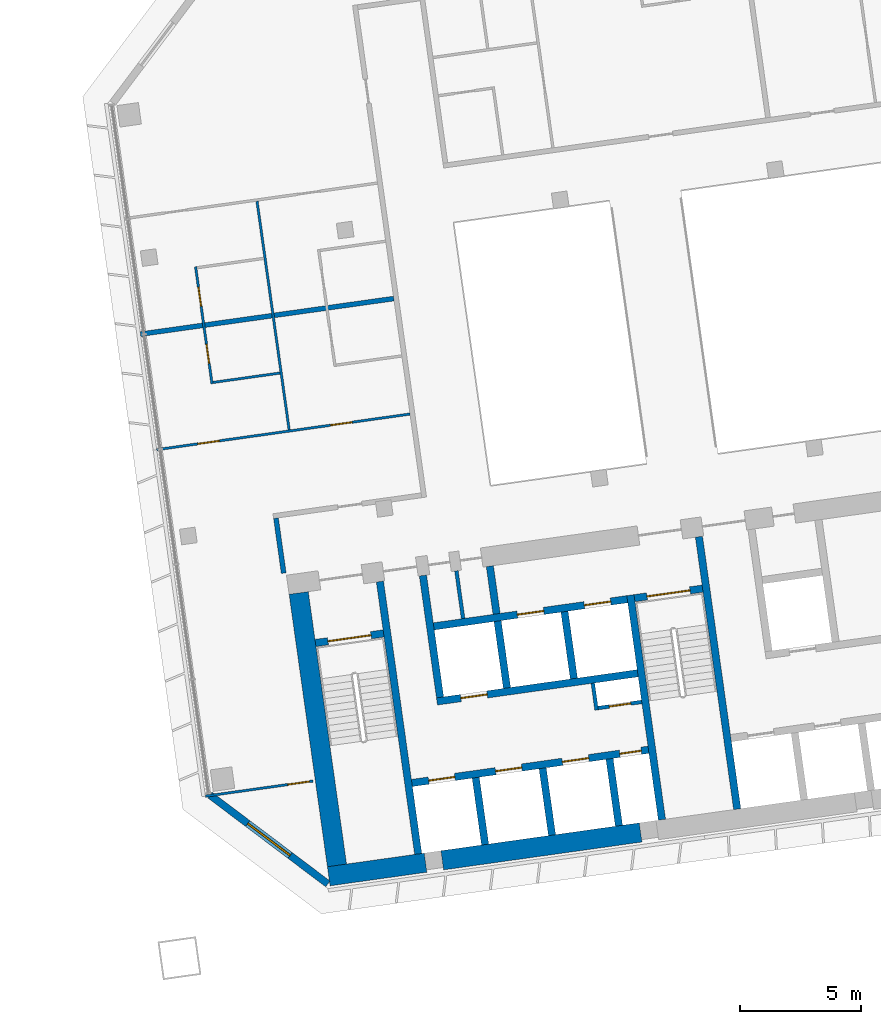
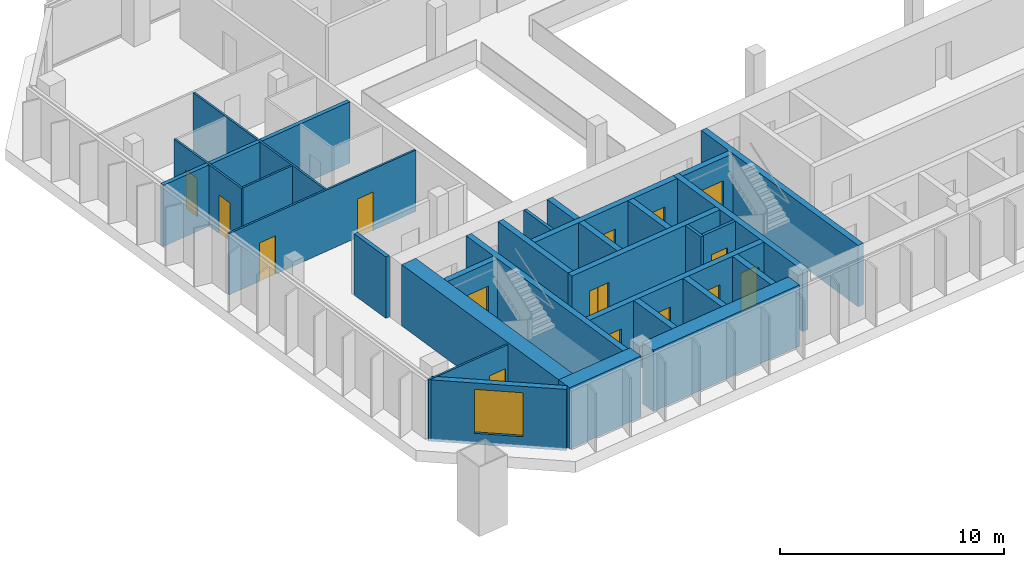
# One storey, part 19 of 27: 29 walls, 15 doors, 1 window, 16 openings.
"""IFC4 building model written with IfcOpenShell, lengths in metres."""

from ifc_helpers import new_model, si_unit, direction, frame, frame_2d, origin, place, context, subcontext, project, spatial, rectangle, extrude, material, layer, layer_set, type_object, element, fill, save


model = new_model("IFC4")

# Units and contexts
model_context = context("Model", 3, precision=1e-05, world=origin(), true_north=direction((0.0, 1.0)))
body_context = subcontext(model_context, "Body", "Model", "MODEL_VIEW")
ifc_project = project(units=[si_unit("LENGTHUNIT", "METRE"), si_unit("AREAUNIT", "SQUARE_METRE"), si_unit("VOLUMEUNIT", "CUBIC_METRE"), si_unit("PLANEANGLEUNIT", "RADIAN"), si_unit("MASSUNIT", "GRAM", prefix="KILO")], contexts=[model_context])

# Site, building, storey
site_placement = place(None, origin())
site = spatial("IfcSite", under=ifc_project, at=site_placement, CompositionType="ELEMENT")
building_placement = place(site_placement, origin())
building = spatial("IfcBuilding", under=site, at=building_placement, Name="Mirante Cascada Hotel Towers", CompositionType="ELEMENT")
storey_placement = place(building_placement, frame((0.0, 0.0, 117.7)))
storey = spatial("IfcBuildingStorey", under=building, at=storey_placement, Name="L26", CompositionType="ELEMENT", Elevation=117.7)

# Walls
ifc_material_1 = material(Name="Fire-rated plasterboard on metal studs")
ifc_layer_1 = layer(ifc_material_1, 0.2)
ifc_layer_set_1 = layer_set([ifc_layer_1], Name="Compartment wall 200 EI 120")
wall_type_1 = type_object("IfcWallType", Name="Compartment wall 200 EI 120", PredefinedType="PARTITIONING", material=ifc_layer_set_1)
wall_1_placement = place(storey_placement, frame((39.8242, 4.2615, 0.0), z_axis=(0.0, 0.0, 1.0), x_axis=(-0.9902686, -0.1391691, 0.0)))
element("IfcWall", 1, at=wall_1_placement, inside=storey, type_object=wall_type_1, Name="Wall 2-L26-08", PredefinedType="PARTITIONING", context=body_context, shape_type="SweptSolid", body=[
    extrude(rectangle(XDim=10.6001, YDim=0.2, at=frame_2d((5.3, 0.0))), origin(), (0.0, 0.0, 1.0), 3.35),
])
wall_2_placement = place(storey_placement, frame((35.2634, -7.1173, 0.0), z_axis=(0.0, 0.0, 1.0), x_axis=(-0.1391749, 0.9902678, 0.0)))
element("IfcWall", 2, at=wall_2_placement, inside=storey, type_object=wall_type_1, Name="Wall 2-L26-33", PredefinedType="PARTITIONING", context=body_context, shape_type="SweptSolid", body=[
    extrude(rectangle(XDim=2.3, YDim=0.2, at=frame_2d((1.15, 0.0))), origin(), (0.0, 0.0, 1.0), 3.35),
])
ifc_material_2 = material(Name="Masonry block", Category="masonry")
ifc_layer_2 = layer(ifc_material_2, 0.15)
ifc_layer_set_2 = layer_set([ifc_layer_2], Name="Core room partition 150 block EI 30")
wall_type_2 = type_object("IfcWallType", Name="Core room partition 150 block EI 30", PredefinedType="PARTITIONING", material=ifc_layer_set_2)
wall_3_placement = place(storey_placement, frame((48.2295, -12.793, 0.0), z_axis=(0.0, 0.0, 1.0), x_axis=(-0.1391935, 0.9902652, 0.0)))
element("IfcWall", 3, at=wall_3_placement, inside=storey, type_object=wall_type_2, Name="Core wall partition T2 L26 2", PredefinedType="PARTITIONING", context=body_context, shape_type="SweptSolid", body=[
    extrude(rectangle(XDim=1.1251, YDim=0.15, at=frame_2d((0.5626, 0.0))), origin(), (0.0, 0.0, 1.0), 3.35),
])

# Wall, opening, door
wall_4_placement = place(storey_placement, frame((48.2933, -12.7083, 0.0), z_axis=(0.0, 0.0, 1.0), x_axis=(0.990268, 0.1391734, 0.0)))
wall_4 = element("IfcWall", 4, at=wall_4_placement, inside=storey, type_object=wall_type_2, Name="Core wall partition T2 L26 3", PredefinedType="PARTITIONING", context=body_context, shape_type="SweptSolid", body=[
    extrude(rectangle(XDim=1.8251, YDim=0.15, at=frame_2d((0.9126, 0.0))), origin(), (0.0, 0.0, 1.0), 3.35),
])
opening_1_placement = place(wall_4_placement, frame((0.4625, 0.0, 0.0)))
opening_1 = element("IfcOpeningElement", 5, at=opening_1_placement, cuts=wall_4, Name="Opening D2-26-C23", PredefinedType="OPENING", context=body_context, shape_type="SweptSolid", body=[
    extrude(rectangle(XDim=0.9, YDim=2.1, at=frame_2d((0.45, 1.05))), frame((0.0, 0.075, 0.0), z_axis=(0.0, -1.0, 0.0), x_axis=(1.0, 0.0, 0.0)), (0.0, 0.0, 1.0), 0.15),
])
ifc_material_3 = material(Name="Hollow metal fire door leaf")
door_type_1 = type_object("IfcDoorType", Name="Fire door 900x2100 FD60", OperationType="NOTDEFINED", PredefinedType="DOOR", material=ifc_material_3)
door_1_placement = place(opening_1_placement, frame((0.9, 0.0, 0.0), z_axis=(0.0, 0.0, 1.0), x_axis=(-1.0, 0.0, 0.0)))
door_1 = element("IfcDoor", 6, at=door_1_placement, inside=storey, type_object=door_type_1, Name="Riser door T2 L26 23", OperationType="SINGLE_SWING_RIGHT", OverallHeight=2.1, OverallWidth=0.9, PredefinedType="DOOR", context=body_context, shape_type="SweptSolid", body=[
    extrude(rectangle(XDim=0.9, YDim=2.1, at=frame_2d((0.45, 1.05))), frame((0.0, 0.025, 0.0), z_axis=(0.0, -1.0, 0.0), x_axis=(1.0, 0.0, 0.0)), (0.0, 0.0, 1.0), 0.05),
])
fill(opening_1, door_1)

# Walls
wall_5_placement = place(storey_placement, frame((42.6979, -9.0009, 0.0), z_axis=(0.0, 0.0, 1.0), x_axis=(-0.1391529, 0.9902709, 0.0)))
element("IfcWall", 7, at=wall_5_placement, inside=storey, type_object=wall_type_2, Name="Core wall partition T2 L26 4", PredefinedType="PARTITIONING", context=body_context, shape_type="SweptSolid", body=[
    extrude(rectangle(XDim=2.0, YDim=0.15, at=frame_2d((1.0, 0.0))), origin(), (0.0, 0.0, 1.0), 3.35),
])
ifc_material_4 = material(Name="Masonry block", Category="masonry")
ifc_layer_3 = layer(ifc_material_4, 0.3)
ifc_layer_set_3 = layer_set([ifc_layer_3], Name="Core wall 300 block EI 120")
wall_type_3 = type_object("IfcWallType", Name="Core wall 300 block EI 120", PredefinedType="PARTITIONING", material=ifc_layer_set_3)
wall_6_placement = place(storey_placement, frame((44.0843, -8.8061, 0.0), z_axis=(0.0, 0.0, 1.0), x_axis=(-0.1391951, 0.990265, 0.0)))
element("IfcWall", 8, at=wall_6_placement, inside=storey, type_object=wall_type_3, Name="Core wall partition T2 L26 1", PredefinedType="PARTITIONING", context=body_context, shape_type="SweptSolid", body=[
    extrude(rectangle(XDim=2.0001, YDim=0.3, at=frame_2d((1.0001, 0.0))), origin(), (0.0, 0.0, 1.0), 3.35),
])

# Wall, opening, door
ifc_material_5 = material(Name="Plasterboard on metal studs")
ifc_layer_4 = layer(ifc_material_5, 0.1)
ifc_layer_set_4 = layer_set([ifc_layer_4], Name="Partition 100")
wall_type_4 = type_object("IfcWallType", Name="Partition 100", PredefinedType="PARTITIONING", material=ifc_layer_set_4)
wall_7_placement = place(storey_placement, frame((32.018, -16.3589, 0.0), z_axis=(0.0, 0.0, 1.0), x_axis=(0.9902674, 0.1391779, 0.0)))
wall_7 = element("IfcWall", 9, at=wall_7_placement, inside=storey, type_object=wall_type_4, Name="Wall 2-L26-01", PredefinedType="PARTITIONING", context=body_context, shape_type="SweptSolid", body=[
    extrude(rectangle(XDim=4.5, YDim=0.1, at=frame_2d((2.25, 0.0))), origin(), (0.0, 0.0, 1.0), 3.35),
])
opening_2_placement = place(wall_7_placement, frame((3.45, 0.0, 0.0)))
opening_2 = element("IfcOpeningElement", 10, at=opening_2_placement, cuts=wall_7, Name="Opening D2-L26-01", PredefinedType="OPENING", context=body_context, shape_type="SweptSolid", body=[
    extrude(rectangle(XDim=0.9, YDim=2.1, at=frame_2d((0.45, 1.05))), frame((0.0, 0.05, 0.0), z_axis=(0.0, -1.0, 0.0), x_axis=(1.0, 0.0, 0.0)), (0.0, 0.0, 1.0), 0.1),
])
ifc_material_6 = material(Name="Timber door leaf", Category="wood")
door_type_2 = type_object("IfcDoorType", Name="Room door DG3 900x2100", OperationType="SINGLE_SWING_LEFT", PredefinedType="DOOR", material=ifc_material_6)
door_2_placement = place(opening_2_placement, origin())
door_2 = element("IfcDoor", 11, at=door_2_placement, inside=storey, type_object=door_type_2, Name="Door D2-L26-01", OperationType="SINGLE_SWING_LEFT", OverallHeight=2.1, OverallWidth=0.9, PredefinedType="DOOR", context=body_context, shape_type="SweptSolid", body=[
    extrude(rectangle(XDim=0.9, YDim=2.1, at=frame_2d((0.45, 1.05))), frame((0.0, 0.025, 0.0), z_axis=(0.0, -1.0, 0.0), x_axis=(1.0, 0.0, 0.0)), (0.0, 0.0, 1.0), 0.05),
])
fill(opening_2, door_2)

# Wall, openings, doors
wall_8_placement = place(storey_placement, frame((30.0, -2.0, 0.0), z_axis=(0.0, 0.0, 1.0), x_axis=(0.9902684, 0.1391704, 0.0)))
wall_8 = element("IfcWall", 12, at=wall_8_placement, inside=storey, type_object=wall_type_4, Name="Wall 2-L26-03", PredefinedType="PARTITIONING", context=body_context, shape_type="SweptSolid", body=[
    extrude(rectangle(XDim=10.6, YDim=0.1, at=frame_2d((5.3, 0.0))), origin(), (0.0, 0.0, 1.0), 3.35),
])
opening_3_placement = place(wall_8_placement, frame((1.725, 0.0, 0.0)))
opening_3 = element("IfcOpeningElement", 13, at=opening_3_placement, cuts=wall_8, Name="Opening D2-L26-03", PredefinedType="OPENING", context=body_context, shape_type="SweptSolid", body=[
    extrude(rectangle(XDim=0.9, YDim=2.1, at=frame_2d((0.45, 1.05))), frame((0.0, 0.05, 0.0), z_axis=(0.0, -1.0, 0.0), x_axis=(1.0, 0.0, 0.0)), (0.0, 0.0, 1.0), 0.1),
])
opening_4_placement = place(wall_8_placement, frame((7.275, 0.0, 0.0)))
opening_4 = element("IfcOpeningElement", 14, at=opening_4_placement, cuts=wall_8, Name="Opening D2-L26-04", PredefinedType="OPENING", context=body_context, shape_type="SweptSolid", body=[
    extrude(rectangle(XDim=0.9, YDim=2.1, at=frame_2d((0.45, 1.05))), frame((0.0, 0.05, 0.0), z_axis=(0.0, -1.0, 0.0), x_axis=(1.0, 0.0, 0.0)), (0.0, 0.0, 1.0), 0.1),
])
door_3_placement = place(opening_3_placement, frame((0.9, 0.0, 0.0), z_axis=(0.0, 0.0, 1.0), x_axis=(-1.0, 0.0, 0.0)))
door_3 = element("IfcDoor", 15, at=door_3_placement, inside=storey, type_object=door_type_2, Name="Door D2-L26-03", OperationType="SINGLE_SWING_RIGHT", OverallHeight=2.1, OverallWidth=0.9, PredefinedType="DOOR", context=body_context, shape_type="SweptSolid", body=[
    extrude(rectangle(XDim=0.9, YDim=2.1, at=frame_2d((0.45, 1.05))), frame((0.0, 0.025, 0.0), z_axis=(0.0, -1.0, 0.0), x_axis=(1.0, 0.0, 0.0)), (0.0, 0.0, 1.0), 0.05),
])
fill(opening_3, door_3)
door_4_placement = place(opening_4_placement, frame((0.9, 0.0, 0.0), z_axis=(0.0, 0.0, 1.0), x_axis=(-1.0, 0.0, 0.0)))
door_4 = element("IfcDoor", 16, at=door_4_placement, inside=storey, type_object=door_type_2, Name="Door D2-L26-04", OperationType="SINGLE_SWING_RIGHT", OverallHeight=2.1, OverallWidth=0.9, PredefinedType="DOOR", context=body_context, shape_type="SweptSolid", body=[
    extrude(rectangle(XDim=0.9, YDim=2.1, at=frame_2d((0.45, 1.05))), frame((0.0, 0.025, 0.0), z_axis=(0.0, -1.0, 0.0), x_axis=(1.0, 0.0, 0.0)), (0.0, 0.0, 1.0), 0.05),
])
fill(opening_4, door_4)

# Wall
wall_9_placement = place(storey_placement, frame((35.1078, 1.1751, 0.0), z_axis=(0.0, 0.0, 1.0), x_axis=(-0.990267, -0.139181, 0.0)))
element("IfcWall", 17, at=wall_9_placement, inside=storey, type_object=wall_type_4, Name="Wall 2-L26-06", PredefinedType="PARTITIONING", context=body_context, shape_type="SweptSolid", body=[
    extrude(rectangle(XDim=2.8, YDim=0.1, at=frame_2d((1.4, 0.0))), origin(), (0.0, 0.0, 1.0), 3.35),
])

# Wall, openings, doors
wall_10_placement = place(storey_placement, frame((31.6106, 5.5812, 0.0), z_axis=(0.0, 0.0, 1.0), x_axis=(0.1391638, -0.9902694, 0.0)))
wall_10 = element("IfcWall", 18, at=wall_10_placement, inside=storey, type_object=wall_type_4, Name="Wall 2-L26-32", PredefinedType="PARTITIONING", context=body_context, shape_type="SweptSolid", body=[
    extrude(rectangle(XDim=4.9, YDim=0.1, at=frame_2d((2.45, 0.0))), origin(), (0.0, 0.0, 1.0), 3.35),
])
opening_5_placement = place(wall_10_placement, frame((3.25, 0.0, 0.0)))
opening_5 = element("IfcOpeningElement", 19, at=opening_5_placement, cuts=wall_10, Name="Opening D2-L26-23", PredefinedType="OPENING", context=body_context, shape_type="SweptSolid", body=[
    extrude(rectangle(XDim=0.8, YDim=2.1, at=frame_2d((0.4, 1.05))), frame((0.0, 0.05, 0.0), z_axis=(0.0, -1.0, 0.0), x_axis=(1.0, 0.0, 0.0)), (0.0, 0.0, 1.0), 0.1),
])
opening_6_placement = place(wall_10_placement, frame((0.85, 0.0, 0.0)))
opening_6 = element("IfcOpeningElement", 20, at=opening_6_placement, cuts=wall_10, Name="Opening D2-L26-24", PredefinedType="OPENING", context=body_context, shape_type="SweptSolid", body=[
    extrude(rectangle(XDim=0.8, YDim=2.1, at=frame_2d((0.4, 1.05))), frame((0.0, 0.05, 0.0), z_axis=(0.0, -1.0, 0.0), x_axis=(1.0, 0.0, 0.0)), (0.0, 0.0, 1.0), 0.1),
])
ifc_material_7 = material(Name="Timber door leaf", Category="wood")
door_type_3 = type_object("IfcDoorType", Name="Bathroom door DG4 800x2100", OperationType="SINGLE_SWING_LEFT", PredefinedType="DOOR", material=ifc_material_7)
door_5_placement = place(opening_5_placement, origin())
door_5 = element("IfcDoor", 21, at=door_5_placement, inside=storey, type_object=door_type_3, Name="Door D2-L26-23", OperationType="SINGLE_SWING_LEFT", OverallHeight=2.1, OverallWidth=0.8, PredefinedType="DOOR", context=body_context, shape_type="SweptSolid", body=[
    extrude(rectangle(XDim=0.8, YDim=2.1, at=frame_2d((0.4, 1.05))), frame((0.0, 0.025, 0.0), z_axis=(0.0, -1.0, 0.0), x_axis=(1.0, 0.0, 0.0)), (0.0, 0.0, 1.0), 0.05),
])
fill(opening_5, door_5)
door_6_placement = place(opening_6_placement, origin())
door_6 = element("IfcDoor", 22, at=door_6_placement, inside=storey, type_object=door_type_3, Name="Door D2-L26-24", OperationType="SINGLE_SWING_LEFT", OverallHeight=2.1, OverallWidth=0.8, PredefinedType="DOOR", context=body_context, shape_type="SweptSolid", body=[
    extrude(rectangle(XDim=0.8, YDim=2.1, at=frame_2d((0.4, 1.05))), frame((0.0, 0.025, 0.0), z_axis=(0.0, -1.0, 0.0), x_axis=(1.0, 0.0, 0.0)), (0.0, 0.0, 1.0), 0.05),
])
fill(opening_6, door_6)

# Wall
wall_11_placement = place(storey_placement, frame((34.1576, 8.2955, 0.0), z_axis=(0.0, 0.0, 1.0), x_axis=(0.1391703, -0.9902685, 0.0)))
element("IfcWall", 23, at=wall_11_placement, inside=storey, type_object=wall_type_4, Name="Wall 2-L26-34", PredefinedType="PARTITIONING", context=body_context, shape_type="SweptSolid", body=[
    extrude(rectangle(XDim=9.5667, YDim=0.1, at=frame_2d((4.7834, 0.0))), origin(), (0.0, 0.0, 1.0), 3.35),
])

# Wall, opening, window
ifc_material_8 = material(Name="Precast concrete C40/50", Category="concrete")
ifc_layer_5 = layer(ifc_material_8, 0.3)
ifc_layer_set_5 = layer_set([ifc_layer_5], Name="Precast concrete C40/50 cladding wall 300")
wall_type_5 = type_object("IfcWallType", Name="Precast concrete C40/50 cladding wall 300", PredefinedType="STANDARD", material=ifc_layer_set_5)
wall_12_placement = place(storey_placement, frame((32.2074, -16.3138, 0.0), z_axis=(0.0, 0.0, 1.0), x_axis=(0.7986362, -0.6018141, 0.0)))
wall_12 = element("IfcWall", 24, at=wall_12_placement, inside=storey, type_object=wall_type_5, Name="Corner cladding wall T2 L26 inner rear", PredefinedType="STANDARD", context=body_context, shape_type="SweptSolid", body=[
    extrude(rectangle(XDim=6.1157, YDim=0.3, at=frame_2d((3.0578, 0.0))), origin(), (0.0, 0.0, 1.0), 3.35),
])
opening_7_placement = place(wall_12_placement, frame((1.9578, 0.0, 0.6)))
opening_7 = element("IfcOpeningElement", 25, at=opening_7_placement, cuts=wall_12, Name="Opening W2-26-06", PredefinedType="OPENING", context=body_context, shape_type="SweptSolid", body=[
    extrude(rectangle(XDim=2.2, YDim=2.4, at=frame_2d((1.1, 1.2))), frame((0.0, 0.15, 0.0), z_axis=(0.0, -1.0, 0.0), x_axis=(1.0, 0.0, 0.0)), (0.0, 0.0, 1.0), 0.3),
])
ifc_material_9 = material(Name="Aluminium frame with clear double glazing", Category="aluminium")
window_type = type_object("IfcWindowType", Name="Corner suite window 2200x2400", PartitioningType="DOUBLE_PANEL_VERTICAL", PredefinedType="WINDOW", material=ifc_material_9)
window_placement = place(opening_7_placement, origin())
window = element("IfcWindow", 26, at=window_placement, inside=storey, type_object=window_type, Name="Window W2-26-06", OverallHeight=2.4, OverallWidth=2.2, PartitioningType="SINGLE_PANEL", PredefinedType="WINDOW", context=body_context, shape_type="SweptSolid", body=[
    extrude(rectangle(XDim=2.2, YDim=2.4, at=frame_2d((1.1, 1.2))), frame((0.0, 0.03, 0.0), z_axis=(0.0, -1.0, 0.0), x_axis=(1.0, 0.0, 0.0)), (0.0, 0.0, 1.0), 0.06),
])
fill(opening_7, window)

# Walls
ifc_material_10 = material(Name="Concrete C50/60", Category="concrete")
ifc_layer_6 = layer(ifc_material_10, 0.3)
ifc_layer_set_6 = layer_set([ifc_layer_6], Name="RC core wall 300 C50/60")
wall_type_6 = type_object("IfcWallType", Name="RC core wall 300 C50/60", PredefinedType="SHEAR", material=ifc_layer_set_6)
wall_13_placement = place(storey_placement, frame((40.8373, -18.7548, 0.0), z_axis=(0.0, 0.0, 1.0), x_axis=(-0.1391749, 0.9902678, 0.0)))
element("IfcWall", 27, at=wall_13_placement, inside=storey, type_object=wall_type_6, Name="Core wall T2:L26:5", PredefinedType="SHEAR", context=body_context, shape_type="SweptSolid", body=[
    extrude(rectangle(XDim=11.4, YDim=0.3, at=frame_2d((5.7, 0.0))), origin(), (0.0, 0.0, 1.0), 3.35),
])
wall_14_placement = place(storey_placement, frame((50.938, -17.3352, 0.0), z_axis=(0.0, 0.0, 1.0), x_axis=(-0.1391706, 0.9902684, 0.0)))
element("IfcWall", 28, at=wall_14_placement, inside=storey, type_object=wall_type_6, Name="Core wall T2:L26:6", PredefinedType="SHEAR", context=body_context, shape_type="SweptSolid", body=[
    extrude(rectangle(XDim=9.4, YDim=0.3, at=frame_2d((4.7, 0.0))), origin(), (0.0, 0.0, 1.0), 3.35),
])
wall_15_placement = place(storey_placement, frame((54.0574, -16.8968, 0.0), z_axis=(0.0, 0.0, 1.0), x_axis=(-0.1391761, 0.9902677, 0.0)))
element("IfcWall", 29, at=wall_15_placement, inside=storey, type_object=wall_type_6, Name="Core wall T2:L26:7", PredefinedType="SHEAR", context=body_context, shape_type="SweptSolid", body=[
    extrude(rectangle(XDim=11.3999, YDim=0.3, at=frame_2d((5.7, 0.0))), origin(), (0.0, 0.0, 1.0), 3.35),
])

# Wall, opening, door
wall_16_placement = place(storey_placement, frame((36.5791, -10.0123, 0.0), z_axis=(0.0, 0.0, 1.0), x_axis=(0.9902704, 0.1391564, 0.0)))
wall_16 = element("IfcWall", 30, at=wall_16_placement, inside=storey, type_object=wall_type_6, Name="Core wall T2:L26:9", PredefinedType="SHEAR", context=body_context, shape_type="SweptSolid", body=[
    extrude(rectangle(XDim=2.85, YDim=0.3, at=frame_2d((1.425, 0.0))), origin(), (0.0, 0.0, 1.0), 3.35),
])
opening_8_placement = place(wall_16_placement, frame((0.525, 0.0, 0.0)))
opening_8 = element("IfcOpeningElement", 31, at=opening_8_placement, cuts=wall_16, Name="Opening D2-26-C13", PredefinedType="OPENING", context=body_context, shape_type="SweptSolid", body=[
    extrude(rectangle(XDim=1.8, YDim=2.1, at=frame_2d((0.9, 1.05))), frame((0.0, 0.15, 0.0), z_axis=(0.0, -1.0, 0.0), x_axis=(1.0, 0.0, 0.0)), (0.0, 0.0, 1.0), 0.3),
])
ifc_material_11 = material(Name="Hollow metal fire door leaf")
door_type_4 = type_object("IfcDoorType", Name="Double fire door 1800x2100 FD60", OperationType="DOUBLE_DOOR_SINGLE_SWING", PredefinedType="DOOR", material=ifc_material_11)
door_7_placement = place(opening_8_placement, frame((1.8, 0.0, 0.0), z_axis=(0.0, 0.0, 1.0), x_axis=(-1.0, 0.0, 0.0)))
door_7 = element("IfcDoor", 32, at=door_7_placement, inside=storey, type_object=door_type_4, Name="Stair door T2 L26 13", OperationType="DOUBLE_DOOR_SINGLE_SWING", OverallHeight=2.1, OverallWidth=1.8, PredefinedType="DOOR", context=body_context, shape_type="SweptSolid", body=[
    extrude(rectangle(XDim=0.895, YDim=2.1, at=frame_2d((0.4475, 1.05))), frame((0.0, 0.025, 0.0), z_axis=(0.0, -1.0, 0.0), x_axis=(1.0, 0.0, 0.0)), (0.0, 0.0, 1.0), 0.05),
    extrude(rectangle(XDim=0.895, YDim=2.1, at=frame_2d((1.3525, 1.05))), frame((0.0, 0.025, 0.0), z_axis=(0.0, -1.0, 0.0), x_axis=(1.0, 0.0, 0.0)), (0.0, 0.0, 1.0), 0.05),
])
fill(opening_8, door_7)

wall_17_placement = place(storey_placement, frame((49.7992, -8.1544, 0.0), z_axis=(0.0, 0.0, 1.0), x_axis=(0.9902656, 0.1391909, 0.0)))
wall_17 = element("IfcWall", 33, at=wall_17_placement, inside=storey, type_object=wall_type_6, Name="Core wall T2:L26:10", PredefinedType="SHEAR", context=body_context, shape_type="SweptSolid", body=[
    extrude(rectangle(XDim=2.85, YDim=0.3, at=frame_2d((1.425, 0.0))), origin(), (0.0, 0.0, 1.0), 3.35),
])
opening_9_placement = place(wall_17_placement, frame((0.525, 0.0, 0.0)))
opening_9 = element("IfcOpeningElement", 34, at=opening_9_placement, cuts=wall_17, Name="Opening D2-26-C15", PredefinedType="OPENING", context=body_context, shape_type="SweptSolid", body=[
    extrude(rectangle(XDim=1.8, YDim=2.1, at=frame_2d((0.9, 1.05))), frame((0.0, 0.15, 0.0), z_axis=(0.0, -1.0, 0.0), x_axis=(1.0, 0.0, 0.0)), (0.0, 0.0, 1.0), 0.3),
])
door_8_placement = place(opening_9_placement, frame((1.8, 0.0, 0.0), z_axis=(0.0, 0.0, 1.0), x_axis=(-1.0, 0.0, 0.0)))
door_8 = element("IfcDoor", 35, at=door_8_placement, inside=storey, type_object=door_type_4, Name="Stair door T2 L26 15", OperationType="DOUBLE_DOOR_SINGLE_SWING", OverallHeight=2.1, OverallWidth=1.8, PredefinedType="DOOR", context=body_context, shape_type="SweptSolid", body=[
    extrude(rectangle(XDim=0.895, YDim=2.1, at=frame_2d((0.4475, 1.05))), frame((0.0, 0.025, 0.0), z_axis=(0.0, -1.0, 0.0), x_axis=(1.0, 0.0, 0.0)), (0.0, 0.0, 1.0), 0.05),
    extrude(rectangle(XDim=0.895, YDim=2.1, at=frame_2d((1.3525, 1.05))), frame((0.0, 0.025, 0.0), z_axis=(0.0, -1.0, 0.0), x_axis=(1.0, 0.0, 0.0)), (0.0, 0.0, 1.0), 0.05),
])
fill(opening_9, door_8)

# Wall, openings, doors
wall_18_placement = place(storey_placement, frame((40.5753, -15.8126, 0.0), z_axis=(0.0, 0.0, 1.0), x_axis=(0.9902682, 0.1391725, 0.0)))
wall_18 = element("IfcWall", 36, at=wall_18_placement, inside=storey, type_object=wall_type_6, Name="Core wall T2:L26:12", PredefinedType="SHEAR", context=body_context, shape_type="SweptSolid", body=[
    extrude(rectangle(XDim=9.8999, YDim=0.3, at=frame_2d((4.95, 0.0))), origin(), (0.0, 0.0, 1.0), 3.35),
])
opening_10_placement = place(wall_18_placement, frame((0.7, 0.0, 0.0)))
opening_10 = element("IfcOpeningElement", 37, at=opening_10_placement, cuts=wall_18, Name="Opening LD", PredefinedType="OPENING", context=body_context, shape_type="SweptSolid", body=[
    extrude(rectangle(XDim=1.1, YDim=2.1, at=frame_2d((0.55, 1.05))), frame((0.0, 0.15, 0.0), z_axis=(0.0, -1.0, 0.0), x_axis=(1.0, 0.0, 0.0)), (0.0, 0.0, 1.0), 0.3),
])
opening_11_placement = place(wall_18_placement, frame((3.5, 0.0, 0.0)))
opening_11 = element("IfcOpeningElement", 38, at=opening_11_placement, cuts=wall_18, Name="Opening LD", PredefinedType="OPENING", context=body_context, shape_type="SweptSolid", body=[
    extrude(rectangle(XDim=1.1, YDim=2.1, at=frame_2d((0.55, 1.05))), frame((0.0, 0.15, 0.0), z_axis=(0.0, -1.0, 0.0), x_axis=(1.0, 0.0, 0.0)), (0.0, 0.0, 1.0), 0.3),
])
opening_12_placement = place(wall_18_placement, frame((6.3, 0.0, 0.0)))
opening_12 = element("IfcOpeningElement", 39, at=opening_12_placement, cuts=wall_18, Name="Opening LD", PredefinedType="OPENING", context=body_context, shape_type="SweptSolid", body=[
    extrude(rectangle(XDim=1.1, YDim=2.1, at=frame_2d((0.55, 1.05))), frame((0.0, 0.15, 0.0), z_axis=(0.0, -1.0, 0.0), x_axis=(1.0, 0.0, 0.0)), (0.0, 0.0, 1.0), 0.3),
])
opening_13_placement = place(wall_18_placement, frame((8.7, 0.0, 0.0)))
opening_13 = element("IfcOpeningElement", 40, at=opening_13_placement, cuts=wall_18, Name="Opening D2-26-C22", PredefinedType="OPENING", context=body_context, shape_type="SweptSolid", body=[
    extrude(rectangle(XDim=0.9, YDim=2.1, at=frame_2d((0.45, 1.05))), frame((0.0, 0.15, 0.0), z_axis=(0.0, -1.0, 0.0), x_axis=(1.0, 0.0, 0.0)), (0.0, 0.0, 1.0), 0.3),
])
door_9_placement = place(opening_13_placement, frame((0.9, 0.0, 0.0), z_axis=(0.0, 0.0, 1.0), x_axis=(-1.0, 0.0, 0.0)))
door_9 = element("IfcDoor", 41, at=door_9_placement, inside=storey, type_object=door_type_1, Name="Riser door T2 L26 22", OperationType="SINGLE_SWING_RIGHT", OverallHeight=2.1, OverallWidth=0.9, PredefinedType="DOOR", context=body_context, shape_type="SweptSolid", body=[
    extrude(rectangle(XDim=0.9, YDim=2.1, at=frame_2d((0.45, 1.05))), frame((0.0, 0.025, 0.0), z_axis=(0.0, -1.0, 0.0), x_axis=(1.0, 0.0, 0.0)), (0.0, 0.0, 1.0), 0.05),
])
fill(opening_13, door_9)
ifc_material_12 = material(Name="Stainless steel", Category="steel")
door_type_5 = type_object("IfcDoorType", Name="Lift landing door 1100x2100 EI 120", OperationType="DOUBLE_DOOR_SLIDING", PredefinedType="DOOR", material=ifc_material_12)
door_10_placement = place(opening_10_placement, origin())
door_10 = element("IfcDoor", 42, at=door_10_placement, inside=storey, type_object=door_type_5, Name="Lift landing door HR2-1 L26", OperationType="DOUBLE_DOOR_SLIDING", OverallHeight=2.1, OverallWidth=1.1, PredefinedType="DOOR", context=body_context, shape_type="SweptSolid", body=[
    extrude(rectangle(XDim=0.545, YDim=2.1, at=frame_2d((0.2725, 1.05))), frame((0.0, 0.025, 0.0), z_axis=(0.0, -1.0, 0.0), x_axis=(1.0, 0.0, 0.0)), (0.0, 0.0, 1.0), 0.05),
    extrude(rectangle(XDim=0.545, YDim=2.1, at=frame_2d((0.8275, 1.05))), frame((0.0, 0.025, 0.0), z_axis=(0.0, -1.0, 0.0), x_axis=(1.0, 0.0, 0.0)), (0.0, 0.0, 1.0), 0.05),
])
fill(opening_10, door_10)
door_11_placement = place(opening_11_placement, origin())
door_11 = element("IfcDoor", 43, at=door_11_placement, inside=storey, type_object=door_type_5, Name="Lift landing door HR2-2 L26", OperationType="DOUBLE_DOOR_SLIDING", OverallHeight=2.1, OverallWidth=1.1, PredefinedType="DOOR", context=body_context, shape_type="SweptSolid", body=[
    extrude(rectangle(XDim=0.545, YDim=2.1, at=frame_2d((0.2725, 1.05))), frame((0.0, 0.025, 0.0), z_axis=(0.0, -1.0, 0.0), x_axis=(1.0, 0.0, 0.0)), (0.0, 0.0, 1.0), 0.05),
    extrude(rectangle(XDim=0.545, YDim=2.1, at=frame_2d((0.8275, 1.05))), frame((0.0, 0.025, 0.0), z_axis=(0.0, -1.0, 0.0), x_axis=(1.0, 0.0, 0.0)), (0.0, 0.0, 1.0), 0.05),
])
fill(opening_11, door_11)
door_12_placement = place(opening_12_placement, origin())
door_12 = element("IfcDoor", 44, at=door_12_placement, inside=storey, type_object=door_type_5, Name="Lift landing door HR2-3 L26", OperationType="DOUBLE_DOOR_SLIDING", OverallHeight=2.1, OverallWidth=1.1, PredefinedType="DOOR", context=body_context, shape_type="SweptSolid", body=[
    extrude(rectangle(XDim=0.545, YDim=2.1, at=frame_2d((0.2725, 1.05))), frame((0.0, 0.025, 0.0), z_axis=(0.0, -1.0, 0.0), x_axis=(1.0, 0.0, 0.0)), (0.0, 0.0, 1.0), 0.05),
    extrude(rectangle(XDim=0.545, YDim=2.1, at=frame_2d((0.8275, 1.05))), frame((0.0, 0.025, 0.0), z_axis=(0.0, -1.0, 0.0), x_axis=(1.0, 0.0, 0.0)), (0.0, 0.0, 1.0), 0.05),
])
fill(opening_12, door_12)

# Wall, opening, door
wall_19_placement = place(storey_placement, frame((41.6153, -12.435, 0.0), z_axis=(0.0, 0.0, 1.0), x_axis=(0.9902691, 0.139166, 0.0)))
wall_19 = element("IfcWall", 45, at=wall_19_placement, inside=storey, type_object=wall_type_6, Name="Core wall T2:L26:13", PredefinedType="SHEAR", context=body_context, shape_type="SweptSolid", body=[
    extrude(rectangle(XDim=8.4, YDim=0.3, at=frame_2d((4.2, 0.0))), origin(), (0.0, 0.0, 1.0), 3.35),
])
opening_14_placement = place(wall_19_placement, frame((1.0, 0.0, 0.0)))
opening_14 = element("IfcOpeningElement", 46, at=opening_14_placement, cuts=wall_19, Name="Opening LD", PredefinedType="OPENING", context=body_context, shape_type="SweptSolid", body=[
    extrude(rectangle(XDim=1.1, YDim=2.1, at=frame_2d((0.55, 1.05))), frame((0.0, 0.15, 0.0), z_axis=(0.0, -1.0, 0.0), x_axis=(1.0, 0.0, 0.0)), (0.0, 0.0, 1.0), 0.3),
])
door_13_placement = place(opening_14_placement, origin())
door_13 = element("IfcDoor", 47, at=door_13_placement, inside=storey, type_object=door_type_5, Name="Lift landing door HR2-4 L26", OperationType="DOUBLE_DOOR_SLIDING", OverallHeight=2.1, OverallWidth=1.1, PredefinedType="DOOR", context=body_context, shape_type="SweptSolid", body=[
    extrude(rectangle(XDim=0.545, YDim=2.1, at=frame_2d((0.2725, 1.05))), frame((0.0, 0.025, 0.0), z_axis=(0.0, -1.0, 0.0), x_axis=(1.0, 0.0, 0.0)), (0.0, 0.0, 1.0), 0.05),
    extrude(rectangle(XDim=0.545, YDim=2.1, at=frame_2d((0.8275, 1.05))), frame((0.0, 0.025, 0.0), z_axis=(0.0, -1.0, 0.0), x_axis=(1.0, 0.0, 0.0)), (0.0, 0.0, 1.0), 0.05),
])
fill(opening_14, door_13)

# Wall, openings, doors
wall_20_placement = place(storey_placement, frame((41.481, -9.3234, 0.0), z_axis=(0.0, 0.0, 1.0), x_axis=(0.9902679, 0.1391741, 0.0)))
wall_20 = element("IfcWall", 48, at=wall_20_placement, inside=storey, type_object=wall_type_6, Name="Core wall T2:L26:14", PredefinedType="SHEAR", context=body_context, shape_type="SweptSolid", body=[
    extrude(rectangle(XDim=8.0999, YDim=0.3, at=frame_2d((4.05, 0.0))), origin(), (0.0, 0.0, 1.0), 3.35),
])
opening_15_placement = place(wall_20_placement, frame((3.5, 0.0, 0.0)))
opening_15 = element("IfcOpeningElement", 49, at=opening_15_placement, cuts=wall_20, Name="Opening LD", PredefinedType="OPENING", context=body_context, shape_type="SweptSolid", body=[
    extrude(rectangle(XDim=1.1, YDim=2.1, at=frame_2d((0.55, 1.05))), frame((0.0, 0.15, 0.0), z_axis=(0.0, -1.0, 0.0), x_axis=(1.0, 0.0, 0.0)), (0.0, 0.0, 1.0), 0.3),
])
opening_16_placement = place(wall_20_placement, frame((6.3, 0.0, 0.0)))
opening_16 = element("IfcOpeningElement", 50, at=opening_16_placement, cuts=wall_20, Name="Opening LD", PredefinedType="OPENING", context=body_context, shape_type="SweptSolid", body=[
    extrude(rectangle(XDim=1.1, YDim=2.1, at=frame_2d((0.55, 1.05))), frame((0.0, 0.15, 0.0), z_axis=(0.0, -1.0, 0.0), x_axis=(1.0, 0.0, 0.0)), (0.0, 0.0, 1.0), 0.3),
])
door_14_placement = place(opening_15_placement, origin())
door_14 = element("IfcDoor", 51, at=door_14_placement, inside=storey, type_object=door_type_5, Name="Lift landing door FF3 L26", OperationType="DOUBLE_DOOR_SLIDING", OverallHeight=2.1, OverallWidth=1.1, PredefinedType="DOOR", context=body_context, shape_type="SweptSolid", body=[
    extrude(rectangle(XDim=0.545, YDim=2.1, at=frame_2d((0.2725, 1.05))), frame((0.0, 0.025, 0.0), z_axis=(0.0, -1.0, 0.0), x_axis=(1.0, 0.0, 0.0)), (0.0, 0.0, 1.0), 0.05),
    extrude(rectangle(XDim=0.545, YDim=2.1, at=frame_2d((0.8275, 1.05))), frame((0.0, 0.025, 0.0), z_axis=(0.0, -1.0, 0.0), x_axis=(1.0, 0.0, 0.0)), (0.0, 0.0, 1.0), 0.05),
])
fill(opening_15, door_14)
door_15_placement = place(opening_16_placement, origin())
door_15 = element("IfcDoor", 52, at=door_15_placement, inside=storey, type_object=door_type_5, Name="Lift landing door FF4 L26", OperationType="DOUBLE_DOOR_SLIDING", OverallHeight=2.1, OverallWidth=1.1, PredefinedType="DOOR", context=body_context, shape_type="SweptSolid", body=[
    extrude(rectangle(XDim=0.545, YDim=2.1, at=frame_2d((0.2725, 1.05))), frame((0.0, 0.025, 0.0), z_axis=(0.0, -1.0, 0.0), x_axis=(1.0, 0.0, 0.0)), (0.0, 0.0, 1.0), 0.05),
    extrude(rectangle(XDim=0.545, YDim=2.1, at=frame_2d((0.8275, 1.05))), frame((0.0, 0.025, 0.0), z_axis=(0.0, -1.0, 0.0), x_axis=(1.0, 0.0, 0.0)), (0.0, 0.0, 1.0), 0.05),
])
fill(opening_16, door_15)

# Walls
wall_21_placement = place(storey_placement, frame((43.61, -18.3651, 0.0), z_axis=(0.0, 0.0, 1.0), x_axis=(-0.1391459, 0.9902719, 0.0)))
element("IfcWall", 53, at=wall_21_placement, inside=storey, type_object=wall_type_6, Name="Core wall T2:L26:15", PredefinedType="SHEAR", context=body_context, shape_type="SweptSolid", body=[
    extrude(rectangle(XDim=2.7999, YDim=0.3, at=frame_2d((1.4, 0.0))), origin(), (0.0, 0.0, 1.0), 3.35),
])
wall_22_placement = place(storey_placement, frame((46.3828, -17.9754, 0.0), z_axis=(0.0, 0.0, 1.0), x_axis=(-0.139181, 0.990267, 0.0)))
element("IfcWall", 54, at=wall_22_placement, inside=storey, type_object=wall_type_6, Name="Core wall T2:L26:16", PredefinedType="SHEAR", context=body_context, shape_type="SweptSolid", body=[
    extrude(rectangle(XDim=2.8, YDim=0.3, at=frame_2d((1.4, 0.0))), origin(), (0.0, 0.0, 1.0), 3.35),
])
wall_23_placement = place(storey_placement, frame((49.1555, -17.5857, 0.0), z_axis=(0.0, 0.0, 1.0), x_axis=(-0.1391459, 0.9902719, 0.0)))
element("IfcWall", 55, at=wall_23_placement, inside=storey, type_object=wall_type_6, Name="Core wall T2:L26:17", PredefinedType="SHEAR", context=body_context, shape_type="SweptSolid", body=[
    extrude(rectangle(XDim=2.7999, YDim=0.3, at=frame_2d((1.4, 0.0))), origin(), (0.0, 0.0, 1.0), 3.35),
])
for number, where, z_axis, x_axis, name in (
    (56, (44.5157, -11.8759, 0.0), (0.0, 0.0, 1.0), (-0.139181, 0.990267, 0.0), "Core wall T2:L26:18"),
    (57, (47.2885, -11.4862, 0.0), (0.0, 0.0, 1.0), (-0.139181, 0.990267, 0.0), "Core wall T2:L26:19"),
):
    element("IfcWall", number, at=place(storey_placement, frame(where, z_axis=z_axis, x_axis=x_axis)), inside=storey, type_object=wall_type_6, Name=name, PredefinedType="SHEAR", context=body_context, shape_type="SweptSolid", body=[
        extrude(rectangle(XDim=2.8, YDim=0.3, at=frame_2d((1.4, 0.0))), origin(), (0.0, 0.0, 1.0), 3.35),
    ])
wall_24_placement = place(storey_placement, frame((41.743, -12.2656, 0.0), z_axis=(0.0, 0.0, 1.0), x_axis=(-0.1391755, 0.9902677, 0.0)))
element("IfcWall", 58, at=wall_24_placement, inside=storey, type_object=wall_type_6, Name="Core wall T2:L26:20", PredefinedType="SHEAR", context=body_context, shape_type="SweptSolid", body=[
    extrude(rectangle(XDim=5.1, YDim=0.3, at=frame_2d((2.55, 0.0))), origin(), (0.0, 0.0, 1.0), 3.35),
])
ifc_material_13 = material(Name="Concrete C50/60", Category="concrete")
ifc_layer_7 = layer(ifc_material_13, 0.8)
ifc_layer_set_7 = layer_set([ifc_layer_7], Name="RC core wall 800 C50/60")
wall_type_7 = type_object("IfcWallType", Name="RC core wall 800 C50/60", PredefinedType="SHEAR", material=ifc_layer_set_7)
wall_25_placement = place(storey_placement, frame((37.1299, -19.6798, 0.0), z_axis=(0.0, 0.0, 1.0), x_axis=(0.9902665, 0.1391845, 0.0)))
element("IfcWall", 59, at=wall_25_placement, inside=storey, type_object=wall_type_7, Name="Core wall T2:L26:1.1", PredefinedType="SHEAR", context=body_context, shape_type="SweptSolid", body=[
    extrude(rectangle(XDim=4.05, YDim=0.8, at=frame_2d((2.025, 0.0))), origin(), (0.0, 0.0, 1.0), 3.35),
])
wall_26_placement = place(storey_placement, frame((41.8337, -19.0187, 0.0), z_axis=(0.0, 0.0, 1.0), x_axis=(0.9902686, 0.1391692, 0.0)))
element("IfcWall", 60, at=wall_26_placement, inside=storey, type_object=wall_type_7, Name="Core wall T2:L26:1.2", PredefinedType="SHEAR", context=body_context, shape_type="SweptSolid", body=[
    extrude(rectangle(XDim=8.3, YDim=0.8, at=frame_2d((4.15, 0.0))), origin(), (0.0, 0.0, 1.0), 3.35),
])
wall_27_placement = place(storey_placement, frame((37.4704, -19.228, 0.0), z_axis=(0.0, 0.0, 1.0), x_axis=(-0.1391749, 0.9902678, 0.0)))
element("IfcWall", 61, at=wall_27_placement, inside=storey, type_object=wall_type_7, Name="Core wall T2:L26:3", PredefinedType="SHEAR", context=body_context, shape_type="SweptSolid", body=[
    extrude(rectangle(XDim=11.4, YDim=0.8, at=frame_2d((5.7, 0.0))), origin(), (0.0, 0.0, 1.0), 3.35),
])

save(model, "model.ifc")
